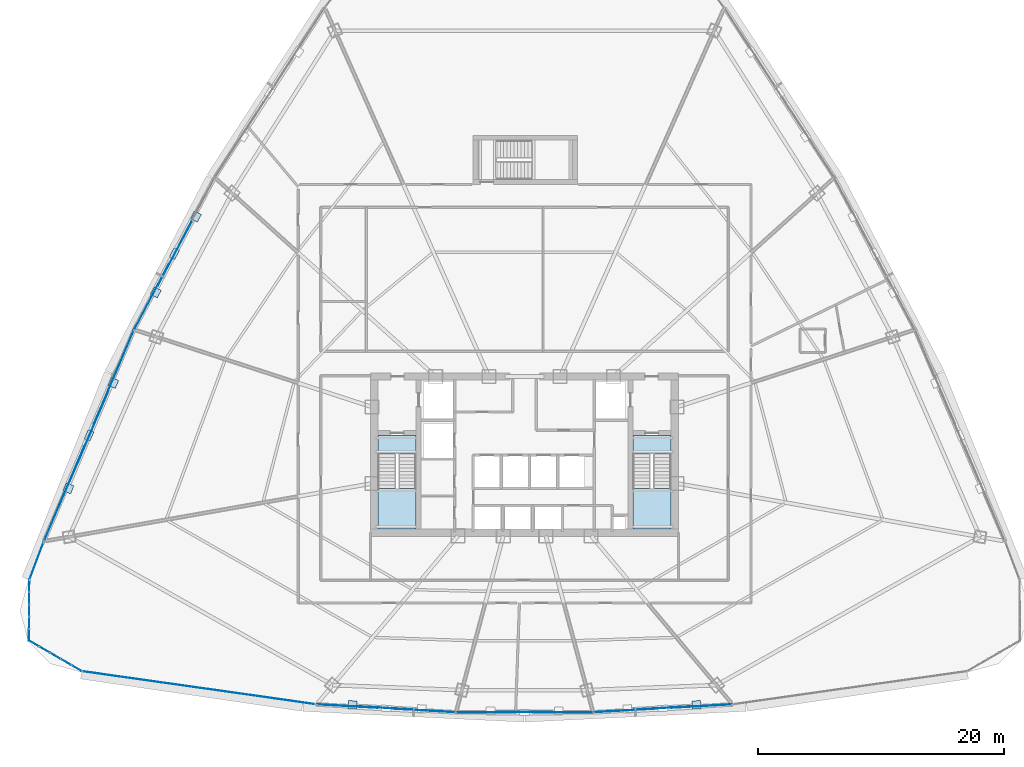
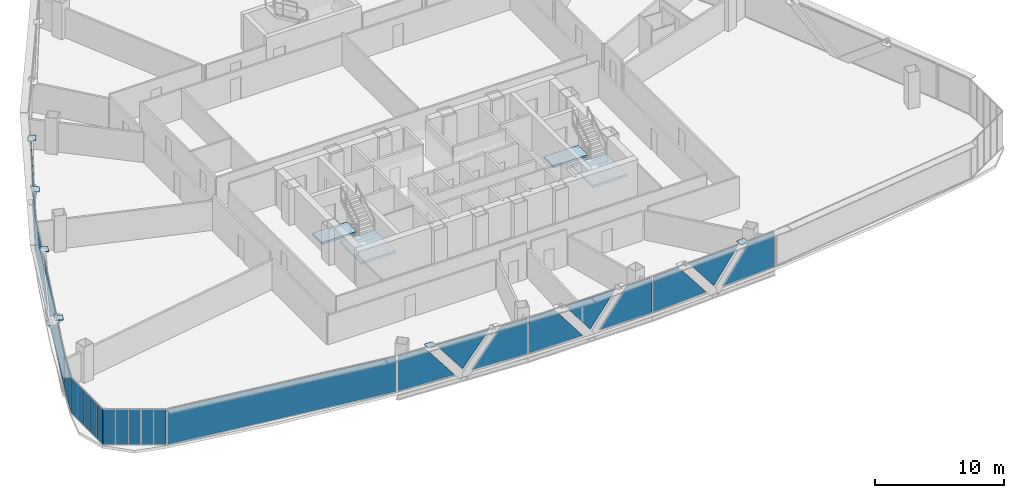
# One storey, part 31 of 42: 34 plates, 4 slabs, 11 elements without a shape of their own.
"""IFC4 building model written with IfcOpenShell, lengths in metres."""

from ifc_helpers import new_model, si_unit, direction, frame, origin, origin_2d, place, context, subcontext, project, spatial, polyline, rectangle, outline, extrude, source, transform, mapped, material, layer, layer_set, type_object, element, aggregate, save


model = new_model("IFC4")

# Units and contexts
model_context = context("Model", 3, precision=1e-05, world=origin(), true_north=direction((0.0, 1.0)))
body_context = subcontext(model_context, "Body", "Model", "MODEL_VIEW")
ifc_project = project(units=[si_unit("LENGTHUNIT", "METRE"), si_unit("AREAUNIT", "SQUARE_METRE"), si_unit("VOLUMEUNIT", "CUBIC_METRE"), si_unit("PLANEANGLEUNIT", "RADIAN"), si_unit("MASSUNIT", "GRAM", prefix="KILO"), si_unit("THERMODYNAMICTEMPERATUREUNIT", "KELVIN"), si_unit("POWERUNIT", "WATT")], contexts=[model_context])

# Site, building, storey
site_placement = place(None, origin())
site = spatial("IfcSite", under=ifc_project, at=site_placement, CompositionType="ELEMENT")
building_placement = place(site_placement, origin())
building = spatial("IfcBuilding", under=site, at=building_placement, Name="Yunzhuo Pagoda Commons", CompositionType="ELEMENT")
storey_placement = place(building_placement, frame((0.0, 0.0, 137.18994140625)))
storey = spatial("IfcBuildingStorey", under=building, at=storey_placement, Name="L34", CompositionType="ELEMENT", Elevation=137.18994140625)

# Curtain wall, plates
ifc_material_1 = material(Name="Anodized aluminium 6063-T6", Category="aluminium")
ifc_layer_1 = layer(ifc_material_1, 0.14990234375)
ifc_layer_set_1 = layer_set([ifc_layer_1], Name="Anodized aluminium 6063-T6")
curtain_wall_type_1 = type_object("IfcCurtainWallType", Name="CW-MID Mid-Zone Ribbon Curtain Wall", PredefinedType="NOTDEFINED", material=ifc_layer_set_1)
curtain_wall_1_placement = place(storey_placement, origin())
curtain_wall_1 = element("IfcCurtainWall", 1, at=curtain_wall_1_placement, inside=storey, type_object=curtain_wall_type_1, Name="L34 curtain wall CW-L34-F1B2", PredefinedType="NOTDEFINED")
ifc_material_2 = material(Name="Tempered low-e double glazing", Category="glass")
ifc_layer_2 = layer(ifc_material_2, 0.028076171875)
ifc_layer_set_2 = layer_set([ifc_layer_2], Name="Tempered low-e double glazing")
plate_type_1 = type_object("IfcPlateType", Name="CW-MID-P Low-E Double Glazing 28", PredefinedType="CURTAIN_PANEL", material=ifc_layer_set_2)
plate_1_placement = place(storey_placement, frame((33.60400390625, 13.43310546875, 1.7099609375), z_axis=(-0.056741862165, -0.99838888269, 0.0), x_axis=(0.99838888269, -0.056741862165, 0.0)))
plate_1 = element("IfcPlate", 2, at=plate_1_placement, type_object=plate_type_1, Name="CW panel 1.1 lite 1", PredefinedType="CURTAIN_PANEL", context=body_context, shape_type="SweptSolid", body=[
    extrude(outline(polyline([(-2.445556640625, -1.655029296875), (2.445556640625, -1.655029296875), (-0.106201171875, 1.655029296875), (-2.445556640625, 1.655029296875), (-2.445556640625, -1.655029296875)])), origin(), (0.0, 0.0, 1.0), 0.028076171875),
])
plate_2_placement = place(storey_placement, frame((36.76904296875, 13.283203125, 1.86376953125), z_axis=(-0.056741862165, -0.99838888269, 0.0), x_axis=(0.99838888269, -0.056741862165, 0.0)))
plate_2 = element("IfcPlate", 3, at=plate_2_placement, type_object=plate_type_1, Name="CW panel 1.1 lite 2", PredefinedType="CURTAIN_PANEL", context=body_context, shape_type="SweptSolid", body=[
    extrude(outline(polyline([(-2.314697265625, 1.501220703125), (0.0, -1.501220703125), (2.314697265625, 1.501220703125), (-2.314697265625, 1.501220703125)])), origin(), (0.0, 0.0, 1.0), 0.028076171875),
])
plate_3_placement = place(storey_placement, frame((39.930419921875, 13.07373046875, 1.7099609375), z_axis=(-0.056741862165, -0.99838888269, 0.0), x_axis=(0.99838888269, -0.056741862165, 0.0)))
plate_3 = element("IfcPlate", 4, at=plate_3_placement, type_object=plate_type_1, Name="CW panel 1.1 lite 3", PredefinedType="CURTAIN_PANEL", context=body_context, shape_type="SweptSolid", body=[
    extrude(outline(polyline([(-2.44580078125, -1.655029296875), (2.44580078125, -1.655029296875), (2.44580078125, 1.655029296875), (0.106201171875, 1.655029296875), (-2.44580078125, -1.655029296875)])), origin(), (0.0, 0.0, 1.0), 0.028076171875),
])
aggregate(curtain_wall_1, [plate_1, plate_2, plate_3])

curtain_wall_2_placement = place(storey_placement, origin())
curtain_wall_2 = element("IfcCurtainWall", 5, at=curtain_wall_2_placement, inside=storey, type_object=curtain_wall_type_1, Name="L34 curtain wall CW-L34-F1B3", PredefinedType="NOTDEFINED")
plate_4_placement = place(storey_placement, frame((44.88818359375, 12.931640625, 1.7099609375), z_axis=(0.0, -1.0, 0.0), x_axis=(1.0, 0.0, 0.0)))
plate_4 = element("IfcPlate", 6, at=plate_4_placement, type_object=plate_type_1, Name="CW panel 1.1 lite 1", PredefinedType="CURTAIN_PANEL", context=body_context, shape_type="SweptSolid", body=[
    extrude(outline(polyline([(-2.39697265625, -1.655029296875), (2.39697265625, -1.655029296875), (-0.107421875, 1.655029296875), (-2.39697265625, 1.655029296875), (-2.39697265625, -1.655029296875)])), origin(), (0.0, 0.0, 1.0), 0.028076171875),
])
plate_5_placement = place(storey_placement, frame((48.0, 12.96142578125, 1.867431640625), z_axis=(0.0, -1.0, 0.0), x_axis=(1.0, 0.0, 0.0)))
plate_5 = element("IfcPlate", 7, at=plate_5_placement, type_object=plate_type_1, Name="CW panel 1.1 lite 2", PredefinedType="CURTAIN_PANEL", context=body_context, shape_type="SweptSolid", body=[
    extrude(outline(polyline([(-2.266357421875, 1.49755859375), (0.0, -1.49755859375), (2.266357421875, 1.49755859375), (-2.266357421875, 1.49755859375)])), origin(), (0.0, 0.0, 1.0), 0.028076171875),
])
plate_6_placement = place(storey_placement, frame((51.11181640625, 12.931640625, 1.7099609375), z_axis=(0.0, -1.0, 0.0), x_axis=(1.0, 0.0, 0.0)))
plate_6 = element("IfcPlate", 8, at=plate_6_placement, type_object=plate_type_1, Name="CW panel 1.1 lite 3", PredefinedType="CURTAIN_PANEL", context=body_context, shape_type="SweptSolid", body=[
    extrude(outline(polyline([(-2.39697265625, -1.655029296875), (2.39697265625, -1.655029296875), (2.39697265625, 1.655029296875), (0.107421875, 1.655029296875), (-2.39697265625, -1.655029296875)])), origin(), (0.0, 0.0, 1.0), 0.028076171875),
])
aggregate(curtain_wall_2, [plate_4, plate_5, plate_6])

curtain_wall_3_placement = place(storey_placement, origin())
curtain_wall_3 = element("IfcCurtainWall", 9, at=curtain_wall_3_placement, inside=storey, type_object=curtain_wall_type_1, Name="L34 curtain wall CW-L34-F1B4", PredefinedType="NOTDEFINED")
plate_7_placement = place(storey_placement, frame((56.069580078125, 13.07373046875, 1.7099609375), z_axis=(0.056741862165, -0.99838888269, 0.0), x_axis=(0.99838888269, 0.056741862165, 0.0)))
plate_7 = element("IfcPlate", 10, at=plate_7_placement, type_object=plate_type_1, Name="CW panel 1.1 lite 1", PredefinedType="CURTAIN_PANEL", context=body_context, shape_type="SweptSolid", body=[
    extrude(outline(polyline([(-2.44580078125, -1.655029296875), (2.44580078125, -1.655029296875), (-0.106201171875, 1.655029296875), (-2.44580078125, 1.655029296875), (-2.44580078125, -1.655029296875)])), origin(), (0.0, 0.0, 1.0), 0.028076171875),
])
plate_8_placement = place(storey_placement, frame((59.23095703125, 13.283203125, 1.86376953125), z_axis=(0.056741862165, -0.99838888269, 0.0), x_axis=(0.99838888269, 0.056741862165, 0.0)))
plate_8 = element("IfcPlate", 11, at=plate_8_placement, type_object=plate_type_1, Name="CW panel 1.1 lite 2", PredefinedType="CURTAIN_PANEL", context=body_context, shape_type="SweptSolid", body=[
    extrude(outline(polyline([(-2.314697265625, 1.501220703125), (0.0, -1.501220703125), (2.314697265625, 1.501220703125), (-2.314697265625, 1.501220703125)])), origin(), (0.0, 0.0, 1.0), 0.028076171875),
])
plate_9_placement = place(storey_placement, frame((62.39599609375, 13.43310546875, 1.7099609375), z_axis=(0.056741862165, -0.99838888269, 0.0), x_axis=(0.99838888269, 0.056741862165, 0.0)))
plate_9 = element("IfcPlate", 12, at=plate_9_placement, type_object=plate_type_1, Name="CW panel 1.1 lite 3", PredefinedType="CURTAIN_PANEL", context=body_context, shape_type="SweptSolid", body=[
    extrude(outline(polyline([(-2.445556640625, -1.655029296875), (2.445556640625, -1.655029296875), (2.445556640625, 1.655029296875), (0.106201171875, 1.655029296875), (-2.445556640625, -1.655029296875)])), origin(), (0.0, 0.0, 1.0), 0.028076171875),
])
aggregate(curtain_wall_3, [plate_7, plate_8, plate_9])

curtain_wall_4_placement = place(storey_placement, origin())
curtain_wall_4 = element("IfcCurtainWall", 13, at=curtain_wall_4_placement, inside=storey, type_object=curtain_wall_type_1, Name="L34 curtain wall CW-L34-F3B3", PredefinedType="NOTDEFINED")
plate_10_placement = place(storey_placement, frame((19.591796875, 50.166015625, 1.828369140625), z_axis=(-0.883694161172, 0.468064770635, 0.0), x_axis=(-0.468064770635, -0.883694161172, 0.0)))
plate_10 = element("IfcPlate", 14, at=plate_10_placement, type_object=plate_type_1, Name="CW panel 1.1 lite 2", PredefinedType="CURTAIN_PANEL", context=body_context, shape_type="SweptSolid", body=[
    extrude(outline(polyline([(-2.920166015625, 1.53662109375), (0.0, -1.53662109375), (2.920166015625, 1.53662109375), (-2.920166015625, 1.53662109375)])), origin(), (0.0, 0.0, 1.0), 0.028076171875),
])
plate_11_placement = place(storey_placement, frame((17.75, 46.752685546875, 1.7099609375), z_axis=(-0.883694161172, 0.468064770635, 0.0), x_axis=(-0.468064770635, -0.883694161172, 0.0)))
plate_11 = element("IfcPlate", 15, at=plate_11_placement, type_object=plate_type_1, Name="CW panel 1.1 lite 3", PredefinedType="CURTAIN_PANEL", context=body_context, shape_type="SweptSolid", body=[
    extrude(outline(polyline([(-3.054931640625, -1.655029296875), (3.054931640625, -1.655029296875), (3.054931640625, 1.655029296875), (0.090087890625, 1.655029296875), (-3.054931640625, -1.655029296875)])), origin(), (0.0, 0.0, 1.0), 0.028076171875),
])
aggregate(curtain_wall_4, [plate_10, plate_11])

curtain_wall_5_placement = place(storey_placement, origin())
curtain_wall_5 = element("IfcCurtainWall", 16, at=curtain_wall_5_placement, inside=storey, type_object=curtain_wall_type_1, Name="L34 curtain wall CW-L34-F3B4", PredefinedType="NOTDEFINED")
plate_12_placement = place(storey_placement, frame((14.647705078125, 40.141845703125, 1.7099609375), z_axis=(-0.919928137274, 0.392087008522, 0.0), x_axis=(-0.392087008522, -0.919928137274, 0.0)))
plate_12 = element("IfcPlate", 17, at=plate_12_placement, type_object=plate_type_1, Name="CW panel 1.1 lite 1", PredefinedType="CURTAIN_PANEL", context=body_context, shape_type="SweptSolid", body=[
    extrude(outline(polyline([(-4.135009765625, -1.655029296875), (4.135009765625, -1.655029296875), (-0.0673828125, 1.655029296875), (-4.135009765625, 1.655029296875), (-4.135009765625, -1.655029296875)])), origin(), (0.0, 0.0, 1.0), 0.028076171875),
])
plate_13_placement = place(storey_placement, frame((12.65625, 35.393310546875, 1.79443359375), z_axis=(-0.919928137274, 0.392087008522, 0.0), x_axis=(-0.392087008522, -0.919928137274, 0.0)))
plate_13 = element("IfcPlate", 18, at=plate_13_placement, type_object=plate_type_1, Name="CW panel 1.1 lite 2", PredefinedType="CURTAIN_PANEL", context=body_context, shape_type="SweptSolid", body=[
    extrude(outline(polyline([(-3.988037109375, 1.57080078125), (0.0, -1.57080078125), (3.988037109375, 1.57080078125), (-3.988037109375, 1.57080078125)])), origin(), (0.0, 0.0, 1.0), 0.028076171875),
])
plate_14_placement = place(storey_placement, frame((10.60986328125, 30.668212890625, 1.7099609375), z_axis=(-0.919928137274, 0.392087008522, 0.0), x_axis=(-0.392087008522, -0.919928137274, 0.0)))
plate_14 = element("IfcPlate", 19, at=plate_14_placement, type_object=plate_type_1, Name="CW panel 1.1 lite 3", PredefinedType="CURTAIN_PANEL", context=body_context, shape_type="SweptSolid", body=[
    extrude(outline(polyline([(-4.135009765625, -1.655029296875), (4.135009765625, -1.655029296875), (4.135009765625, 1.655029296875), (0.0673828125, 1.655029296875), (-4.135009765625, -1.655029296875)])), origin(), (0.0, 0.0, 1.0), 0.028076171875),
])
aggregate(curtain_wall_5, [plate_12, plate_13, plate_14])

# Stair, slabs
ifc_material_3 = material(Name="Concrete C40", Category="concrete")
stair_type_1 = type_object("IfcStairType", Name="ST-C1 Core Smokeproof Stair ST1", PredefinedType="HALF_TURN_STAIR", material=ifc_material_3)
stair_1_placement = place(storey_placement, origin())
stair_1 = element("IfcStair", 20, at=stair_1_placement, inside=storey, type_object=stair_type_1, Name="L34 Core smokeproof stair ST1", PredefinedType="HALF_TURN_STAIR")
ifc_layer_3 = layer(ifc_material_3, 0.199951171875)
ifc_layer_set_3 = layer_set([ifc_layer_3], Name="Concrete C40")
slab_type_1 = type_object("IfcSlabType", Name="SL-LND1 Stair Landing Slab 200", PredefinedType="LANDING", material=ifc_layer_set_3)
slab_1_placement = place(storey_placement, frame((0.0, 0.0, 1.64013671875)))
slab_1 = element("IfcSlab", 21, at=slab_1_placement, type_object=slab_type_1, Name="ST1 landing 1", PredefinedType="LANDING", context=body_context, shape_type="SweptSolid", body=[
    extrude(outline(polyline([(36.10009765625, 31.10009765625), (36.10009765625, 27.800048828125), (39.199951171875, 27.800048828125), (39.199951171875, 31.10009765625), (36.10009765625, 31.10009765625)])), origin(), (0.0, 0.0, 1.0), 0.199951171875),
])
slab_2_placement = place(storey_placement, frame((0.0, 0.0, -0.199951171875)))
slab_2 = element("IfcSlab", 22, at=slab_2_placement, type_object=slab_type_1, Name="ST1 floor landing L34", PredefinedType="LANDING", context=body_context, shape_type="SweptSolid", body=[
    extrude(outline(polyline([(36.10009765625, 35.39990234375), (36.10009765625, 33.89990234375), (39.199951171875, 33.89990234375), (39.199951171875, 35.39990234375), (36.10009765625, 35.39990234375)])), origin(), (0.0, 0.0, 1.0), 0.199951171875),
])
aggregate(stair_1, [slab_1, slab_2])

stair_type_2 = type_object("IfcStairType", Name="ST-C2 Core Smokeproof Stair ST2", PredefinedType="HALF_TURN_STAIR", material=ifc_material_3)
stair_2_placement = place(storey_placement, origin())
stair_2 = element("IfcStair", 23, at=stair_2_placement, inside=storey, type_object=stair_type_2, Name="L34 Core smokeproof stair ST2", PredefinedType="HALF_TURN_STAIR")
ifc_layer_4 = layer(ifc_material_3, 0.201904296875)
ifc_layer_set_4 = layer_set([ifc_layer_4], Name="Concrete C40")
slab_type_2 = type_object("IfcSlabType", Name="SL-LND2 Stair Landing Slab 202", PredefinedType="LANDING", material=ifc_layer_set_4)
slab_3_placement = place(storey_placement, frame((0.0, 0.0, 1.64013671875)))
slab_3 = element("IfcSlab", 24, at=slab_3_placement, type_object=slab_type_2, Name="ST2 landing 1", PredefinedType="LANDING", context=body_context, shape_type="SweptSolid", body=[
    extrude(outline(polyline([(56.800048828125, 31.10009765625), (56.800048828125, 27.800048828125), (59.89990234375, 27.800048828125), (59.89990234375, 31.10009765625), (56.800048828125, 31.10009765625)])), origin(), (0.0, 0.0, 1.0), 0.199951171875),
])
slab_4_placement = place(storey_placement, frame((0.0, 0.0, -0.199951171875)))
slab_4 = element("IfcSlab", 25, at=slab_4_placement, type_object=slab_type_2, Name="ST2 floor landing L34", PredefinedType="LANDING", context=body_context, shape_type="SweptSolid", body=[
    extrude(outline(polyline([(56.800048828125, 35.39990234375), (56.800048828125, 33.89990234375), (59.89990234375, 33.89990234375), (59.89990234375, 35.39990234375), (56.800048828125, 35.39990234375)])), origin(), (0.0, 0.0, 1.0), 0.199951171875),
])
aggregate(stair_2, [slab_3, slab_4])

# Plates
ifc_material_4 = material(Name="Structural steel Q355B", Category="steel")
ifc_layer_5 = layer(ifc_material_4, 0.028076171875)
ifc_layer_set_5 = layer_set([ifc_layer_5], Name="Structural steel Q355B")
plate_type_2 = type_object("IfcPlateType", Name="SP-ND1 Lattice Node Cap Plate 800x500x28", PredefinedType="USERDEFINED", material=ifc_layer_set_5)
shared_shape_1 = source(origin(), body_context, "Body", "SweptSolid", [
    extrude(rectangle(XDim=0.800048828125, YDim=0.5, at=origin_2d()), origin(), (0.0, 0.0, 1.0), 0.028076171875),
])
for number, where, z_axis, x_axis, name in (
    (26, (19.552734375, 50.1865234375, -0.27392578125), (0.0, 0.0, 1.0), (-0.468068630068, -0.883692116943, 0.0), "L34 diamond node plate F3.2A"),
    (27, (12.61572265625, 35.41064453125, -0.27392578125), (0.0, 0.0, 1.0), (-0.392080238691, -0.919931022647, 0.0), "L34 diamond node plate F3.3A"),
):
    element("IfcPlate", number, at=place(storey_placement, frame(where, z_axis=z_axis, x_axis=x_axis)), inside=storey, type_object=plate_type_2, Name=name, ObjectType="STIFFENER_PLATE", PredefinedType="USERDEFINED", context=body_context, shape_type="MappedRepresentation", body=[
        mapped(shared_shape_1, transform((0.0, 0.0, 0.0), scale=1.0)),
    ])
shared_shape_2 = source(origin(), body_context, "Body", "SweptSolid", [
    extrude(rectangle(XDim=0.699951171875, YDim=0.661376953125, at=origin_2d()), origin(), (0.0, 0.0, 1.0), 0.035888671875),
])
for number, where, z_axis, x_axis, name in (
    (28, (34.022705078125, 13.5283203125, 3.38232421875), (0.0, 0.0, 1.0), (0.998388700761, -0.056745063151, 0.0), "L34 setback lattice tie plate F1.1L"),
    (29, (61.977294921875, 13.5283203125, 3.38232421875), (0.0, 0.0, 1.0), (0.998388700761, 0.056745063151, 0.0), "L34 setback lattice tie plate F1.3R"),
):
    element("IfcPlate", number, at=place(storey_placement, frame(where, z_axis=z_axis, x_axis=x_axis)), inside=storey, type_object=plate_type_2, Name=name, ObjectType="STIFFENER_PLATE", PredefinedType="USERDEFINED", context=body_context, shape_type="MappedRepresentation", body=[
        mapped(shared_shape_2, transform((0.0, 0.0, 0.0), scale=1.0)),
    ])
shared_shape_3 = source(origin(), body_context, "Body", "SweptSolid", [
    extrude(rectangle(XDim=0.699951171875, YDim=0.672119140625, at=origin_2d()), origin(), (0.0, 0.0, 1.0), 0.035888671875),
])
plate_15_placement = place(storey_placement, frame((10.944580078125, 31.124267578125, 3.38232421875), z_axis=(0.0, 0.0, 1.0), x_axis=(-0.392080238691, -0.919931022647, 0.0)))
element("IfcPlate", 30, at=plate_15_placement, inside=storey, type_object=plate_type_2, Name="L34 setback lattice tie plate F3.3R", ObjectType="STIFFENER_PLATE", PredefinedType="USERDEFINED", context=body_context, shape_type="MappedRepresentation", body=[
    mapped(shared_shape_3, transform((0.0, 0.0, 0.0), scale=1.0)),
])
shared_shape_4 = source(origin(), body_context, "Body", "SweptSolid", [
    extrude(rectangle(XDim=0.699951171875, YDim=0.627685546875, at=origin_2d()), origin(), (0.0, 0.0, 1.0), 0.035888671875),
])
plate_16_placement = place(storey_placement, frame((18.043212890625, 47.040283203125, 3.38232421875), z_axis=(0.0, 0.0, 1.0), x_axis=(-0.468068630068, -0.883692116943, 0.0)))
element("IfcPlate", 31, at=plate_16_placement, inside=storey, type_object=plate_type_2, Name="L34 setback lattice tie plate F3.2R", ObjectType="STIFFENER_PLATE", PredefinedType="USERDEFINED", context=body_context, shape_type="MappedRepresentation", body=[
    mapped(shared_shape_4, transform((0.0, 0.0, 0.0), scale=1.0)),
])
shared_shape_5 = source(origin(), body_context, "Body", "SweptSolid", [
    extrude(rectangle(XDim=0.699951171875, YDim=0.627197265625, at=origin_2d()), origin(), (0.0, 0.0, 1.0), 0.035888671875),
])
plate_17_placement = place(storey_placement, frame((21.301513671875, 53.195068359375, 3.38232421875), z_axis=(0.0, 0.0, 1.0), x_axis=(-0.468068630068, -0.883692116943, 0.0)))
element("IfcPlate", 32, at=plate_17_placement, inside=storey, type_object=plate_type_2, Name="L34 setback lattice tie plate F3.2L", ObjectType="STIFFENER_PLATE", PredefinedType="USERDEFINED", context=body_context, shape_type="MappedRepresentation", body=[
    mapped(shared_shape_5, transform((0.0, 0.0, 0.0), scale=1.0)),
])
shared_shape_6 = source(origin(), body_context, "Body", "SweptSolid", [
    extrude(rectangle(XDim=0.699951171875, YDim=0.640869140625, at=origin_2d()), origin(), (0.0, 0.0, 1.0), 0.035888671875),
])
plate_18_placement = place(storey_placement, frame((14.5908203125, 39.683349609375, 3.38232421875), z_axis=(0.0, 0.0, 1.0), x_axis=(-0.392080238691, -0.919931022647, 0.0)))
element("IfcPlate", 33, at=plate_18_placement, inside=storey, type_object=plate_type_2, Name="L34 setback lattice tie plate F3.3L", ObjectType="STIFFENER_PLATE", PredefinedType="USERDEFINED", context=body_context, shape_type="MappedRepresentation", body=[
    mapped(shared_shape_6, transform((0.0, 0.0, 0.0), scale=1.0)),
])

# Curtain wall, plate
curtain_wall_6_placement = place(storey_placement, origin())
curtain_wall_6 = element("IfcCurtainWall", 34, at=curtain_wall_6_placement, inside=storey, type_object=curtain_wall_type_1, Name="L34 curtain wall CW-L34-F1B1", PredefinedType="NOTDEFINED")
shared_shape_7 = source(origin(), body_context, "Body", "SweptSolid", [
    extrude(rectangle(XDim=19.068359375, YDim=0.028076171875, at=origin_2d()), origin(), (0.0, 0.0, 1.0), 3.31005859375),
])
plate_19_placement = place(storey_placement, frame((21.527587890625, 14.915283203125, 0.054931640625), z_axis=(0.0, 0.0, 1.0), x_axis=(0.990147694104, -0.140026939768, 0.0)))
plate_19 = element("IfcPlate", 35, at=plate_19_placement, type_object=plate_type_1, Name="CW panel 1.1", PredefinedType="CURTAIN_PANEL", context=body_context, shape_type="MappedRepresentation", body=[
    mapped(shared_shape_7, transform((0.0, 0.0, 0.0), scale=1.0)),
])
aggregate(curtain_wall_6, [plate_19])

curtain_wall_7_placement = place(storey_placement, origin())
curtain_wall_7 = element("IfcCurtainWall", 36, at=curtain_wall_7_placement, inside=storey, type_object=curtain_wall_type_1, Name="L34 curtain wall CW-L34-F3B5", PredefinedType="NOTDEFINED")
shared_shape_8 = source(origin(), body_context, "Body", "SweptSolid", [
    extrude(rectangle(XDim=3.15576171875, YDim=0.028076171875, at=origin_2d()), origin(), (0.0, 0.0, 1.0), 3.31005859375),
])
plate_20_placement = place(storey_placement, frame((8.34619140625, 25.212646484375, 0.054931640625), z_axis=(0.0, 0.0, 1.0), x_axis=(-0.353798274003, -0.935321752827, 0.0)))
plate_20 = element("IfcPlate", 37, at=plate_20_placement, type_object=plate_type_1, Name="CW panel 1.1", PredefinedType="CURTAIN_PANEL", context=body_context, shape_type="MappedRepresentation", body=[
    mapped(shared_shape_8, transform((0.0, 0.0, 0.0), scale=1.0)),
])
aggregate(curtain_wall_7, [plate_20])

# Curtain wall, plates
ifc_layer_6 = layer(ifc_material_1, 0.1298828125)
ifc_layer_set_6 = layer_set([ifc_layer_6], Name="Anodized aluminium 6063-T6")
curtain_wall_type_2 = type_object("IfcCurtainWallType", Name="CW-VTX Rounded Corner Curtain Wall", PredefinedType="NOTDEFINED", material=ifc_layer_set_6)
curtain_wall_8_placement = place(storey_placement, origin())
curtain_wall_8 = element("IfcCurtainWall", 38, at=curtain_wall_8_placement, inside=storey, type_object=curtain_wall_type_2, Name="L34 curtain wall CW-L34-VTX1S1", PredefinedType="NOTDEFINED")
ifc_layer_7 = layer(ifc_material_2, 0.02587890625)
ifc_layer_set_7 = layer_set([ifc_layer_7], Name="Tempered low-e double glazing")
plate_type_3 = type_object("IfcPlateType", Name="CW-VTX-P Low-E Double Glazing 26", PredefinedType="CURTAIN_PANEL", material=ifc_layer_set_7)
shared_shape_9 = source(origin(), body_context, "Body", "SweptSolid", [
    extrude(rectangle(XDim=0.915771484375, YDim=0.028076171875, at=origin_2d()), origin(), (0.0, 0.0, 1.0), 3.31005859375),
])
plate_21_placement = place(storey_placement, frame((7.7646484375, 23.16796875, 0.054931640625), z_axis=(0.0, 0.0, 1.0), x_axis=(-0.003586576275, -0.999993568215, 0.0)))
plate_21 = element("IfcPlate", 39, at=plate_21_placement, type_object=plate_type_3, Name="CW panel 1.1", PredefinedType="CURTAIN_PANEL", context=body_context, shape_type="MappedRepresentation", body=[
    mapped(shared_shape_9, transform((0.0, 0.0, 0.0), scale=1.0)),
])
plate_22_placement = place(storey_placement, frame((7.75048828125, 19.20263671875, 0.054931640625), z_axis=(0.0, 0.0, 1.0), x_axis=(-0.003586576275, -0.999993568215, 0.0)))
plate_22 = element("IfcPlate", 40, at=plate_22_placement, type_object=plate_type_3, Name="CW panel 5.1", PredefinedType="CURTAIN_PANEL", context=body_context, shape_type="MappedRepresentation", body=[
    mapped(shared_shape_9, transform((0.0, 0.0, 0.0), scale=1.0)),
])

curtain_wall_9_placement = place(storey_placement, origin())
curtain_wall_9 = element("IfcCurtainWall", 41, at=curtain_wall_9_placement, inside=storey, type_object=curtain_wall_type_2, Name="L34 curtain wall CW-L34-VTX1S2", PredefinedType="NOTDEFINED")
plate_23_placement = place(storey_placement, frame((8.152587890625, 18.50244140625, 0.054931640625), z_axis=(0.0, 0.0, 1.0), x_axis=(0.865425370946, -0.501037850191, 0.0)))
plate_23 = element("IfcPlate", 42, at=plate_23_placement, type_object=plate_type_3, Name="CW panel 1.1", PredefinedType="CURTAIN_PANEL", context=body_context, shape_type="MappedRepresentation", body=[
    mapped(shared_shape_9, transform((0.0, 0.0, 0.0), scale=1.0)),
])
plate_24_placement = place(storey_placement, frame((11.584228515625, 16.515869140625, 0.054931640625), z_axis=(0.0, 0.0, 1.0), x_axis=(0.865425370946, -0.501037850191, 0.0)))
plate_24 = element("IfcPlate", 43, at=plate_24_placement, type_object=plate_type_3, Name="CW panel 5.1", PredefinedType="CURTAIN_PANEL", context=body_context, shape_type="MappedRepresentation", body=[
    mapped(shared_shape_9, transform((0.0, 0.0, 0.0), scale=1.0)),
])

# Plate
shared_shape_10 = source(origin(), body_context, "Body", "SweptSolid", [
    extrude(rectangle(XDim=0.943115234375, YDim=0.028076171875, at=origin_2d()), origin(), (0.0, 0.0, 1.0), 3.31005859375),
])
plate_25_placement = place(storey_placement, frame((7.76123046875, 22.183349609375, 0.054931640625), z_axis=(0.0, 0.0, 1.0), x_axis=(-0.003586576275, -0.999993568215, 0.0)))
plate_25 = element("IfcPlate", 44, at=plate_25_placement, type_object=plate_type_3, Name="CW panel 2.1", PredefinedType="CURTAIN_PANEL", context=body_context, shape_type="MappedRepresentation", body=[
    mapped(shared_shape_10, transform((0.0, 0.0, 0.0), scale=1.0)),
])

plate_26_placement = place(storey_placement, frame((7.757568359375, 21.185302734375, 0.054931640625), z_axis=(0.0, 0.0, 1.0), x_axis=(-0.003586576275, -0.999993568215, 0.0)))
plate_26 = element("IfcPlate", 45, at=plate_26_placement, type_object=plate_type_3, Name="CW panel 3.1", PredefinedType="CURTAIN_PANEL", context=body_context, shape_type="MappedRepresentation", body=[
    mapped(shared_shape_10, transform((0.0, 0.0, 0.0), scale=1.0)),
])

plate_27_placement = place(storey_placement, frame((7.754150390625, 20.187255859375, 0.054931640625), z_axis=(0.0, 0.0, 1.0), x_axis=(-0.003586576275, -0.999993568215, 0.0)))
plate_27 = element("IfcPlate", 46, at=plate_27_placement, type_object=plate_type_3, Name="CW panel 4.1", PredefinedType="CURTAIN_PANEL", context=body_context, shape_type="MappedRepresentation", body=[
    mapped(shared_shape_10, transform((0.0, 0.0, 0.0), scale=1.0)),
])

aggregate(curtain_wall_8, [plate_21, plate_25, plate_26, plate_27, plate_22])

plate_28_placement = place(storey_placement, frame((9.004638671875, 18.00927734375, 0.054931640625), z_axis=(0.0, 0.0, 1.0), x_axis=(0.865425370946, -0.501037850191, 0.0)))
plate_28 = element("IfcPlate", 47, at=plate_28_placement, type_object=plate_type_3, Name="CW panel 2.1", PredefinedType="CURTAIN_PANEL", context=body_context, shape_type="MappedRepresentation", body=[
    mapped(shared_shape_10, transform((0.0, 0.0, 0.0), scale=1.0)),
])

plate_29_placement = place(storey_placement, frame((9.868408203125, 17.509033203125, 0.054931640625), z_axis=(0.0, 0.0, 1.0), x_axis=(0.865425370946, -0.501037850191, 0.0)))
plate_29 = element("IfcPlate", 48, at=plate_29_placement, type_object=plate_type_3, Name="CW panel 3.1", PredefinedType="CURTAIN_PANEL", context=body_context, shape_type="MappedRepresentation", body=[
    mapped(shared_shape_10, transform((0.0, 0.0, 0.0), scale=1.0)),
])

plate_30_placement = place(storey_placement, frame((10.732177734375, 17.009033203125, 0.054931640625), z_axis=(0.0, 0.0, 1.0), x_axis=(0.865425370946, -0.501037850191, 0.0)))
plate_30 = element("IfcPlate", 49, at=plate_30_placement, type_object=plate_type_3, Name="CW panel 4.1", PredefinedType="CURTAIN_PANEL", context=body_context, shape_type="MappedRepresentation", body=[
    mapped(shared_shape_10, transform((0.0, 0.0, 0.0), scale=1.0)),
])

aggregate(curtain_wall_9, [plate_23, plate_28, plate_29, plate_30, plate_24])

save(model, "model.ifc")
